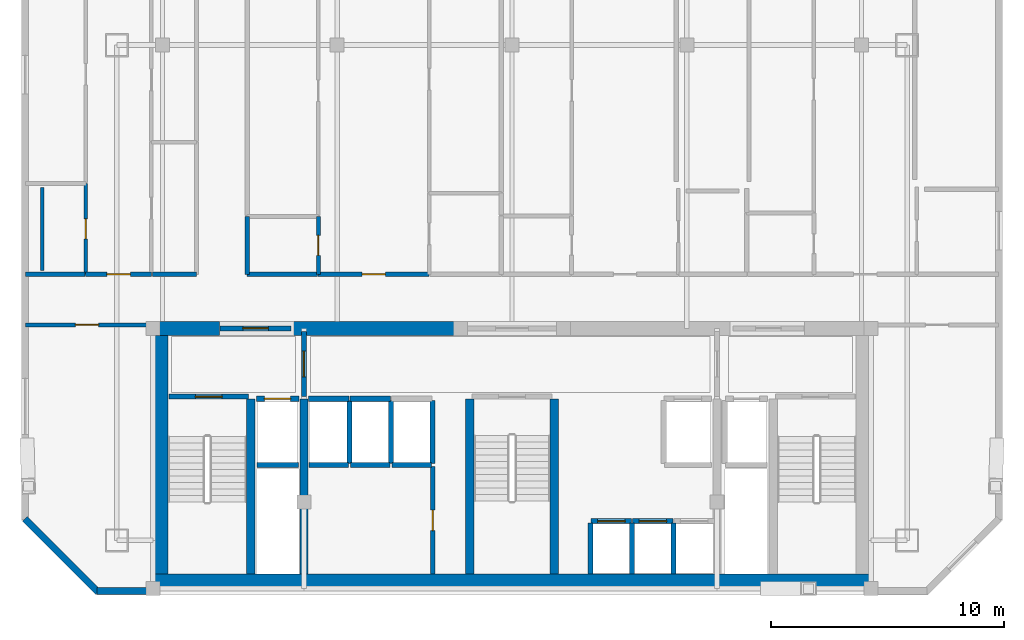
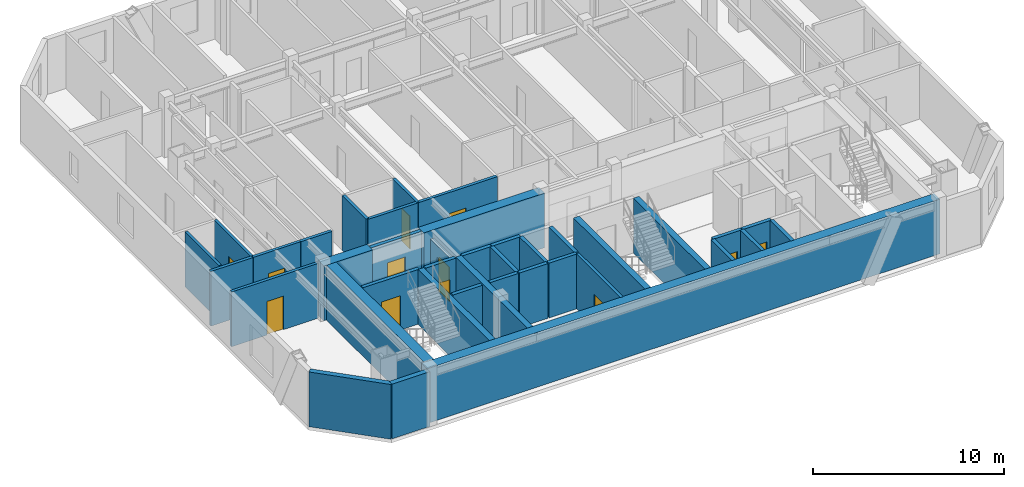
# One storey, part 2 of 7: 39 walls, 12 doors, 12 openings.
"""IFC4 building model written with IfcOpenShell, lengths in metres."""

from ifc_helpers import new_model, si_unit, direction, frame, frame_2d, origin, place, context, subcontext, project, spatial, rectangle, extrude, material, layer, layer_set, type_object, element, fill, save


model = new_model("IFC4")

# Units and contexts
model_context = context("Model", 3, precision=1e-05, world=origin(), true_north=direction((0.0, 1.0)))
body_context = subcontext(model_context, "Body", "Model", "MODEL_VIEW")
ifc_project = project(units=[si_unit("LENGTHUNIT", "METRE"), si_unit("AREAUNIT", "SQUARE_METRE"), si_unit("VOLUMEUNIT", "CUBIC_METRE"), si_unit("PLANEANGLEUNIT", "RADIAN"), si_unit("MASSUNIT", "GRAM", prefix="KILO")], contexts=[model_context])

# Site, building, storey
site_placement = place(None, origin())
site = spatial("IfcSite", under=ifc_project, at=site_placement, CompositionType="ELEMENT")
building_placement = place(site_placement, origin())
building = spatial("IfcBuilding", under=site, at=building_placement, Name="Ventersveld Concourse Tower", CompositionType="ELEMENT")
storey_placement = place(building_placement, frame((0.0, 0.0, 242.64990234375)))
storey = spatial("IfcBuildingStorey", under=building, at=storey_placement, Name="L60", CompositionType="ELEMENT", Elevation=242.64990234375)

# Walls
ifc_material_1 = material(Name="Concrete C50/60", Category="concrete")
ifc_layer_1 = layer(ifc_material_1, 0.35009765625)
ifc_layer_set_1 = layer_set([ifc_layer_1], Name="Concrete C50/60")
wall_type_1 = type_object("IfcWallType", Name="WL-CORE-350U", PredefinedType="SHEAR", material=ifc_layer_set_1)
for number, where, z_axis, x_axis, name in (
    (1, (17.5400390625, 0.919921875, 0.0), (0.0, 0.0, 1.0), (0.0, 1.0, 0.0), "L60 Core Internal Shear Web W-ST1-E"),
    (2, (19.820068359375, 0.919921875, 0.0), (0.0, 0.0, 1.0), (0.0, 1.0, 0.0), "L60 Core Internal Shear Web W-FF1-E"),
    (3, (26.93994140625, 0.919921875, 0.0), (0.0, 0.0, 1.0), (0.0, 1.0, 0.0), "L60 Core Internal Shear Web W-ST3-W"),
    (4, (30.56005859375, 0.919921875, 0.0), (0.0, 0.0, 1.0), (0.0, 1.0, 0.0), "L60 Core Internal Shear Web W-ST3-E"),
):
    element("IfcWall", number, at=place(storey_placement, frame(where, z_axis=z_axis, x_axis=x_axis)), inside=storey, type_object=wall_type_1, Name=name, PredefinedType="SHEAR", context=body_context, shape_type="SweptSolid", body=[
        extrude(rectangle(XDim=7.5, YDim=0.35009765625, at=frame_2d((3.75, 0.0))), origin(), (0.0, 0.0, 1.0), 3.5),
    ])
ifc_layer_2 = layer(ifc_material_1, 0.60009765625)
ifc_layer_set_2 = layer_set([ifc_layer_2], Name="Concrete C50/60")
wall_type_2 = type_object("IfcWallType", Name="WL-CORE-600", PredefinedType="SHEAR", material=ifc_layer_set_2)
wall_1_placement = place(storey_placement, frame((13.25, 0.6201171875, 0.0), z_axis=(0.0, 0.0, 1.0), x_axis=(1.0, 0.0, 0.0)))
element("IfcWall", 5, at=wall_1_placement, inside=storey, type_object=wall_type_2, Name="L60 Rear Core South Shear Wall", PredefinedType="SHEAR", context=body_context, shape_type="SweptSolid", body=[
    extrude(rectangle(XDim=31.0, YDim=0.60009765625, at=frame_2d((15.5, 0.0))), origin(), (0.0, 0.0, 1.0), 3.5),
])
wall_2_placement = place(storey_placement, frame((13.699951171875, 0.919921875, 0.0), z_axis=(0.0, 0.0, 1.0), x_axis=(0.0, 1.0, 0.0)))
element("IfcWall", 6, at=wall_2_placement, inside=storey, type_object=wall_type_2, Name="L60 Rear Core West Shear Wall", PredefinedType="SHEAR", context=body_context, shape_type="SweptSolid", body=[
    extrude(rectangle(XDim=10.530029296875, YDim=0.60009765625, at=frame_2d((5.26513671875, 0.0))), origin(), (0.0, 0.0, 1.0), 3.5),
])
wall_3_placement = place(storey_placement, frame((13.25, 11.449951171875, 0.0), z_axis=(0.0, 0.0, 1.0), x_axis=(1.0, 0.0, 0.0)))
element("IfcWall", 7, at=wall_3_placement, inside=storey, type_object=wall_type_2, Name="L60 Rear Core North Shear Wall NW", PredefinedType="SHEAR", context=body_context, shape_type="SweptSolid", body=[
    extrude(rectangle(XDim=2.949951171875, YDim=0.60009765625, at=frame_2d((1.47509765625, 0.0))), origin(), (0.0, 0.0, 1.0), 3.5),
])
wall_4_placement = place(storey_placement, frame((19.300048828125, 11.449951171875, 0.0), z_axis=(0.0, 0.0, 1.0), x_axis=(1.0, 0.0, 0.0)))
element("IfcWall", 8, at=wall_4_placement, inside=storey, type_object=wall_type_2, Name="L60 Rear Core North Shear Wall NML", PredefinedType="SHEAR", context=body_context, shape_type="SweptSolid", body=[
    extrude(rectangle(XDim=7.300048828125, YDim=0.60009765625, at=frame_2d((3.64990234375, 0.0))), origin(), (0.0, 0.0, 1.0), 3.5),
])

# Wall, opening, door
ifc_material_2 = material(Name="Fire-rated autoclaved aerated masonry blockwork", Category="masonry")
ifc_layer_3 = layer(ifc_material_2, 0.179931640625)
ifc_layer_set_3 = layer_set([ifc_layer_3], Name="Fire-rated autoclaved aerated masonry blockwork")
wall_type_3 = type_object("IfcWallType", Name="WL-CORR-180", PredefinedType="PARTITIONING", material=ifc_layer_set_3)
wall_5_placement = place(storey_placement, frame((25.35009765625, 0.89990234375, 0.0), z_axis=(0.0, 0.0, 1.0), x_axis=(0.0, 1.0, 0.0)))
wall_5 = element("IfcWall", 9, at=wall_5_placement, inside=storey, type_object=wall_type_3, Name="L60 Core Passage Wall SP-L60-RECB1A", PredefinedType="PARTITIONING", context=body_context, shape_type="SweptSolid", body=[
    extrude(rectangle(XDim=4.6201171875, YDim=0.179931640625, at=frame_2d((2.31005859375, 0.0))), origin(), (0.0, 0.0, 1.0), 3.5),
])
opening_1_placement = place(wall_5_placement, frame((1.8701171875, 0.0, 0.0)))
opening_1 = element("IfcOpeningElement", 10, at=opening_1_placement, cuts=wall_5, Name="Opening FD5", PredefinedType="OPENING", context=body_context, shape_type="SweptSolid", body=[
    extrude(rectangle(XDim=0.8798828125, YDim=2.050048828125, at=frame_2d((0.43994140625, 1.02490234375))), frame((0.0, 0.10009765625, 0.0), z_axis=(0.0, -1.0, 0.0), x_axis=(1.0, 0.0, 0.0)), (0.0, 0.0, 1.0), 0.199951171875),
])
ifc_material_3 = material(Name="Galvanised painted steel", Category="steel")
door_type_1 = type_object("IfcDoorType", Name="DR-RISER-088", OperationType="NOTDEFINED", PredefinedType="DOOR", material=ifc_material_3)
door_1_placement = place(opening_1_placement, origin())
door_1 = element("IfcDoor", 11, at=door_1_placement, inside=storey, type_object=door_type_1, Name="L60 Core Room Door L60 Reclaimed Core Meeting Pod (CD-L60-2874)", OperationType="SINGLE_SWING_LEFT", OverallHeight=2.050048828125, OverallWidth=0.8798828125, PredefinedType="DOOR", context=body_context, shape_type="SweptSolid", body=[
    extrude(rectangle(XDim=0.8798828125, YDim=2.050048828125, at=frame_2d((0.43994140625, 1.02490234375))), frame((0.0, 0.02490234375, 0.0), z_axis=(0.0, -1.0, 0.0), x_axis=(1.0, 0.0, 0.0)), (0.0, 0.0, 1.0), 0.050048828125),
])
fill(opening_1, door_1)

wall_6_placement = place(storey_placement, frame((7.8857421875, 11.60009765625, 0.0), z_axis=(0.0, 0.0, 1.0), x_axis=(1.0, 0.0, 0.0)))
wall_6 = element("IfcWall", 12, at=wall_6_placement, inside=storey, type_object=wall_type_3, Name="L60 Interior Partition SP-L60-SW-GAL-SP-L60-COR", PredefinedType="PARTITIONING", context=body_context, shape_type="SweptSolid", body=[
    extrude(rectangle(XDim=5.25927734375, YDim=0.179931640625, at=frame_2d((2.629638671875, 0.0))), origin(), (0.0, 0.0, 1.0), 3.5),
])
opening_2_placement = place(wall_6_placement, frame((2.129638671875, 0.0, 0.0)))
opening_2 = element("IfcOpeningElement", 13, at=opening_2_placement, cuts=wall_6, Name="Opening FD3", PredefinedType="OPENING", context=body_context, shape_type="SweptSolid", body=[
    extrude(rectangle(XDim=1.0, YDim=2.14990234375, at=frame_2d((0.5, 1.074951171875))), frame((0.0, 0.10009765625, 0.0), z_axis=(0.0, -1.0, 0.0), x_axis=(1.0, 0.0, 0.0)), (0.0, 0.0, 1.0), 0.199951171875),
])
ifc_material_4 = material(Name="Solid-core hardwood veneer timber", Category="wood")
door_type_2 = type_object("IfcDoorType", Name="DR-FLAT-100", OperationType="NOTDEFINED", PredefinedType="DOOR", material=ifc_material_4)
door_2_placement = place(opening_2_placement, origin())
door_2 = element("IfcDoor", 14, at=door_2_placement, inside=storey, type_object=door_type_2, Name="L60 Interior Door SP-L60-SW-GAL to SP-L60-COR (D-L60-2875)", OperationType="SINGLE_SWING_LEFT", OverallHeight=2.14990234375, OverallWidth=1.0, PredefinedType="DOOR", context=body_context, shape_type="SweptSolid", body=[
    extrude(rectangle(XDim=1.0, YDim=2.14990234375, at=frame_2d((0.5, 1.074951171875))), frame((0.0, 0.02490234375, 0.0), z_axis=(0.0, -1.0, 0.0), x_axis=(1.0, 0.0, 0.0)), (0.0, 0.0, 1.0), 0.050048828125),
])
fill(opening_2, door_2)

wall_7_placement = place(storey_placement, frame((10.4541015625, 13.77001953125, 0.0), z_axis=(0.0, 0.0, 1.0), x_axis=(1.0, 0.0, 0.0)))
wall_7 = element("IfcWall", 15, at=wall_7_placement, inside=storey, type_object=wall_type_3, Name="L60 Interior Partition SP-L60-COR-SP-L60-60NW-LIV", PredefinedType="PARTITIONING", context=body_context, shape_type="SweptSolid", body=[
    extrude(rectangle(XDim=2.832275390625, YDim=0.179931640625, at=frame_2d((1.416015625, 0.0))), origin(), (0.0, 0.0, 1.0), 3.5),
])
opening_3_placement = place(wall_7_placement, frame((0.916259765625, 0.0, 0.0)))
opening_3 = element("IfcOpeningElement", 16, at=opening_3_placement, cuts=wall_7, Name="Opening FD3", PredefinedType="OPENING", context=body_context, shape_type="SweptSolid", body=[
    extrude(rectangle(XDim=1.0, YDim=2.14990234375, at=frame_2d((0.5, 1.074951171875))), frame((0.0, 0.10009765625, 0.0), z_axis=(0.0, -1.0, 0.0), x_axis=(1.0, 0.0, 0.0)), (0.0, 0.0, 1.0), 0.199951171875),
])
door_3_placement = place(opening_3_placement, origin())
door_3 = element("IfcDoor", 17, at=door_3_placement, inside=storey, type_object=door_type_2, Name="L60 Interior Door SP-L60-COR to SP-L60-60NW-LIV (FD-L60-2877)", OperationType="SINGLE_SWING_LEFT", OverallHeight=2.14990234375, OverallWidth=1.0, PredefinedType="DOOR", context=body_context, shape_type="SweptSolid", body=[
    extrude(rectangle(XDim=1.0, YDim=2.14990234375, at=frame_2d((0.5, 1.074951171875))), frame((0.0, 0.02490234375, 0.0), z_axis=(0.0, -1.0, 0.0), x_axis=(1.0, 0.0, 0.0)), (0.0, 0.0, 1.0), 0.050048828125),
])
fill(opening_3, door_3)

# Walls
wall_8_placement = place(storey_placement, frame((7.8857421875, 13.77001953125, 0.0), z_axis=(0.0, 0.0, 1.0), x_axis=(1.0, 0.0, 0.0)))
element("IfcWall", 18, at=wall_8_placement, inside=storey, type_object=wall_type_3, Name="L60 Interior Partition SP-L60-COR-SP-L60-60NW-BATH", PredefinedType="PARTITIONING", context=body_context, shape_type="SweptSolid", body=[
    extrude(rectangle(XDim=2.538330078125, YDim=0.179931640625, at=frame_2d((1.26904296875, 0.0))), origin(), (0.0, 0.0, 1.0), 3.5),
])
wall_9_placement = place(storey_placement, frame((13.31640625, 13.77001953125, 0.0), z_axis=(0.0, 0.0, 1.0), x_axis=(1.0, 0.0, 0.0)))
element("IfcWall", 19, at=wall_9_placement, inside=storey, type_object=wall_type_3, Name="L60 Interior Partition SP-L60-COR-SP-L60-60NW-KIT", PredefinedType="PARTITIONING", context=body_context, shape_type="SweptSolid", body=[
    extrude(rectangle(XDim=1.898681640625, YDim=0.179931640625, at=frame_2d((0.94921875, 0.0))), origin(), (0.0, 0.0, 1.0), 3.5),
])

# Wall, opening, door
wall_10_placement = place(storey_placement, frame((20.4365234375, 13.77001953125, 0.0), z_axis=(0.0, 0.0, 1.0), x_axis=(1.0, 0.0, 0.0)))
wall_10 = element("IfcWall", 20, at=wall_10_placement, inside=storey, type_object=wall_type_3, Name="L60 Interior Partition SP-L60-COR-SP-L60-60N1-LIV", PredefinedType="PARTITIONING", context=body_context, shape_type="SweptSolid", body=[
    extrude(rectangle(XDim=4.760498046875, YDim=0.179931640625, at=frame_2d((2.38037109375, 0.0))), origin(), (0.0, 0.0, 1.0), 3.5),
])
opening_4_placement = place(wall_10_placement, frame((1.880126953125, 0.0, 0.0)))
opening_4 = element("IfcOpeningElement", 21, at=opening_4_placement, cuts=wall_10, Name="Opening FD3", PredefinedType="OPENING", context=body_context, shape_type="SweptSolid", body=[
    extrude(rectangle(XDim=1.0, YDim=2.14990234375, at=frame_2d((0.5, 1.074951171875))), frame((0.0, 0.10009765625, 0.0), z_axis=(0.0, -1.0, 0.0), x_axis=(1.0, 0.0, 0.0)), (0.0, 0.0, 1.0), 0.199951171875),
])
door_4_placement = place(opening_4_placement, origin())
door_4 = element("IfcDoor", 22, at=door_4_placement, inside=storey, type_object=door_type_2, Name="L60 Interior Door SP-L60-COR to SP-L60-60N1-LIV (FD-L60-2878)", OperationType="SINGLE_SWING_RIGHT", OverallHeight=2.14990234375, OverallWidth=1.0, PredefinedType="DOOR", context=body_context, shape_type="SweptSolid", body=[
    extrude(rectangle(XDim=1.0, YDim=2.14990234375, at=frame_2d((0.5, 1.074951171875))), frame((0.0, 0.02490234375, 0.0), z_axis=(0.0, -1.0, 0.0), x_axis=(1.0, 0.0, 0.0)), (0.0, 0.0, 1.0), 0.050048828125),
])
fill(opening_4, door_4)

# Walls
wall_11_placement = place(storey_placement, frame((17.385009765625, 13.77001953125, 0.0), z_axis=(0.0, 0.0, 1.0), x_axis=(1.0, 0.0, 0.0)))
element("IfcWall", 23, at=wall_11_placement, inside=storey, type_object=wall_type_3, Name="L60 Interior Partition SP-L60-COR-SP-L60-60N1-BATH", PredefinedType="PARTITIONING", context=body_context, shape_type="SweptSolid", body=[
    extrude(rectangle(XDim=3.021484375, YDim=0.179931640625, at=frame_2d((1.5107421875, 0.0))), origin(), (0.0, 0.0, 1.0), 3.5),
])
wall_12_placement = place(storey_placement, frame((17.389892578125, 13.764892578125, 0.0), z_axis=(0.0, 0.0, 1.0), x_axis=(0.0, 1.0, 0.0)))
element("IfcWall", 24, at=wall_12_placement, inside=storey, type_object=wall_type_3, Name="L60 Interior Partition SP-L60-COR-SP-L60-60N1-BATH", PredefinedType="PARTITIONING", context=body_context, shape_type="SweptSolid", body=[
    extrude(rectangle(XDim=2.488525390625, YDim=0.179931640625, at=frame_2d((1.244140625, 0.0))), origin(), (0.0, 0.0, 1.0), 3.5),
])
ifc_layer_4 = layer(ifc_material_2, 0.219970703125)
ifc_layer_set_4 = layer_set([ifc_layer_4], Name="Fire-rated autoclaved aerated masonry blockwork")
wall_type_4 = type_object("IfcWallType", Name="WL-HOIST-220", PredefinedType="SOLIDWALL", material=ifc_layer_set_4)
wall_13_placement = place(storey_placement, frame((17.800048828125, 5.590087890625, 0.0), z_axis=(0.0, 0.0, 1.0), x_axis=(1.0, 0.0, 0.0)))
element("IfcWall", 25, at=wall_13_placement, inside=storey, type_object=wall_type_4, Name="L60 Lift Hoistway Back Wall FFL-01", PredefinedType="SOLIDWALL", context=body_context, shape_type="SweptSolid", body=[
    extrude(rectangle(XDim=1.780029296875, YDim=0.219970703125, at=frame_2d((0.89013671875, 0.0))), origin(), (0.0, 0.0, 1.0), 3.5),
])

# Wall, opening, door
wall_14_placement = place(storey_placement, frame((17.780029296875, 8.429931640625, 0.0), z_axis=(0.0, 0.0, 1.0), x_axis=(1.0, 0.0, 0.0)))
wall_14 = element("IfcWall", 26, at=wall_14_placement, inside=storey, type_object=wall_type_4, Name="L60 Lift Hoistway Front Wall FFL-01", PredefinedType="SOLIDWALL", context=body_context, shape_type="SweptSolid", body=[
    extrude(rectangle(XDim=1.820068359375, YDim=0.219970703125, at=frame_2d((0.91015625, 0.0))), origin(), (0.0, 0.0, 1.0), 3.5),
])
opening_5_placement = place(wall_14_placement, frame((0.35009765625, 0.0, 0.0)))
opening_5 = element("IfcOpeningElement", 27, at=opening_5_placement, cuts=wall_14, Name="Opening LD1", PredefinedType="OPENING", context=body_context, shape_type="SweptSolid", body=[
    extrude(rectangle(XDim=1.1201171875, YDim=2.25, at=frame_2d((0.56005859375, 1.125))), frame((0.0, 0.1201171875, 0.0), z_axis=(0.0, -1.0, 0.0), x_axis=(1.0, 0.0, 0.0)), (0.0, 0.0, 1.0), 0.239990234375),
])
ifc_material_5 = material(Name="Brushed stainless steel 316", Category="steel")
door_type_3 = type_object("IfcDoorType", Name="LD-FF-112", OperationType="SLIDING_TO_LEFT", PredefinedType="DOOR", material=ifc_material_5)
door_5_placement = place(opening_5_placement, origin())
door_5 = element("IfcDoor", 28, at=door_5_placement, inside=storey, type_object=door_type_3, Name="L60 Lift landing door FFL-01 (LD-L60-FFL-01)", OperationType="SLIDING_TO_LEFT", OverallHeight=2.25, OverallWidth=1.1201171875, PredefinedType="DOOR", context=body_context, shape_type="SweptSolid", body=[
    extrude(rectangle(XDim=1.1201171875, YDim=2.25, at=frame_2d((0.56005859375, 1.125))), frame((0.0, 0.02490234375, 0.0), z_axis=(0.0, -1.0, 0.0), x_axis=(1.0, 0.0, 0.0)), (0.0, 0.0, 1.0), 0.050048828125),
])
fill(opening_5, door_5)

# Walls
for number, where, z_axis, x_axis, name in (
    (29, (32.1201171875, 0.89990234375, 0.0), (0.0, 0.0, 1.0), (0.0, 1.0, 0.0), "L60 Lift Hoistway Side Wall PM-01W"),
    (30, (33.89990234375, 0.89990234375, 0.0), (0.0, 0.0, 1.0), (0.0, 1.0, 0.0), "L60 Lift Hoistway Side Wall PM-01E"),
):
    element("IfcWall", number, at=place(storey_placement, frame(where, z_axis=z_axis, x_axis=x_axis)), inside=storey, type_object=wall_type_4, Name=name, PredefinedType="SOLIDWALL", context=body_context, shape_type="SweptSolid", body=[
        extrude(rectangle(XDim=2.2001953125, YDim=0.219970703125, at=frame_2d((1.10009765625, 0.0))), origin(), (0.0, 0.0, 1.0), 3.5),
    ])

# Wall, opening, door
wall_15_placement = place(storey_placement, frame((32.139892578125, 3.179931640625, 0.0), z_axis=(0.0, 0.0, 1.0), x_axis=(1.0, 0.0, 0.0)))
wall_15 = element("IfcWall", 31, at=wall_15_placement, inside=storey, type_object=wall_type_4, Name="L60 Lift Hoistway Front Wall PM-01", PredefinedType="SOLIDWALL", context=body_context, shape_type="SweptSolid", body=[
    extrude(rectangle(XDim=1.739990234375, YDim=0.219970703125, at=frame_2d((0.8701171875, 0.0))), origin(), (0.0, 0.0, 1.0), 3.5),
])
opening_6_placement = place(wall_15_placement, frame((0.280029296875, 0.0, 0.0)))
opening_6 = element("IfcOpeningElement", 32, at=opening_6_placement, cuts=wall_15, Name="Opening LD2", PredefinedType="OPENING", context=body_context, shape_type="SweptSolid", body=[
    extrude(rectangle(XDim=1.179931640625, YDim=2.199951171875, at=frame_2d((0.58984375, 1.10009765625))), frame((0.0, 0.1201171875, 0.0), z_axis=(0.0, -1.0, 0.0), x_axis=(1.0, 0.0, 0.0)), (0.0, 0.0, 1.0), 0.239990234375),
])
door_type_4 = type_object("IfcDoorType", Name="LD-PAX-118", OperationType="SLIDING_TO_LEFT", PredefinedType="DOOR", material=ifc_material_5)
door_6_placement = place(opening_6_placement, origin())
door_6 = element("IfcDoor", 33, at=door_6_placement, inside=storey, type_object=door_type_4, Name="L60 Lift landing door PM-01 (LD-L60-PM-01)", OperationType="SLIDING_TO_RIGHT", OverallHeight=2.199951171875, OverallWidth=1.179931640625, PredefinedType="DOOR", context=body_context, shape_type="SweptSolid", body=[
    extrude(rectangle(XDim=1.179931640625, YDim=2.199951171875, at=frame_2d((0.58984375, 1.10009765625))), frame((0.0, 0.02490234375, 0.0), z_axis=(0.0, -1.0, 0.0), x_axis=(1.0, 0.0, 0.0)), (0.0, 0.0, 1.0), 0.050048828125),
])
fill(opening_6, door_6)

# Wall
wall_16_placement = place(storey_placement, frame((35.679931640625, 0.89990234375, 0.0), z_axis=(0.0, 0.0, 1.0), x_axis=(0.0, 1.0, 0.0)))
element("IfcWall", 34, at=wall_16_placement, inside=storey, type_object=wall_type_4, Name="L60 Lift Hoistway Side Wall PM-02E", PredefinedType="SOLIDWALL", context=body_context, shape_type="SweptSolid", body=[
    extrude(rectangle(XDim=2.2001953125, YDim=0.219970703125, at=frame_2d((1.10009765625, 0.0))), origin(), (0.0, 0.0, 1.0), 3.5),
])

# Wall, opening, door
wall_17_placement = place(storey_placement, frame((33.919921875, 3.179931640625, 0.0), z_axis=(0.0, 0.0, 1.0), x_axis=(1.0, 0.0, 0.0)))
wall_17 = element("IfcWall", 35, at=wall_17_placement, inside=storey, type_object=wall_type_4, Name="L60 Lift Hoistway Front Wall PM-02", PredefinedType="SOLIDWALL", context=body_context, shape_type="SweptSolid", body=[
    extrude(rectangle(XDim=1.739990234375, YDim=0.219970703125, at=frame_2d((0.8701171875, 0.0))), origin(), (0.0, 0.0, 1.0), 3.5),
])
opening_7_placement = place(wall_17_placement, frame((0.280029296875, 0.0, 0.0)))
opening_7 = element("IfcOpeningElement", 36, at=opening_7_placement, cuts=wall_17, Name="Opening LD2", PredefinedType="OPENING", context=body_context, shape_type="SweptSolid", body=[
    extrude(rectangle(XDim=1.179931640625, YDim=2.199951171875, at=frame_2d((0.58984375, 1.10009765625))), frame((0.0, 0.1201171875, 0.0), z_axis=(0.0, -1.0, 0.0), x_axis=(1.0, 0.0, 0.0)), (0.0, 0.0, 1.0), 0.239990234375),
])
door_7_placement = place(opening_7_placement, origin())
door_7 = element("IfcDoor", 37, at=door_7_placement, inside=storey, type_object=door_type_4, Name="L60 Lift landing door PM-02 (LD-L60-PM-02)", OperationType="SLIDING_TO_LEFT", OverallHeight=2.199951171875, OverallWidth=1.179931640625, PredefinedType="DOOR", context=body_context, shape_type="SweptSolid", body=[
    extrude(rectangle(XDim=1.179931640625, YDim=2.199951171875, at=frame_2d((0.58984375, 1.10009765625))), frame((0.0, 0.02490234375, 0.0), z_axis=(0.0, -1.0, 0.0), x_axis=(1.0, 0.0, 0.0)), (0.0, 0.0, 1.0), 0.050048828125),
])
fill(opening_7, door_7)

# Walls
wall_18_placement = place(storey_placement, frame((20.0400390625, 5.590087890625, 0.0), z_axis=(0.0, 0.0, 1.0), x_axis=(1.0, 0.0, 0.0)))
element("IfcWall", 38, at=wall_18_placement, inside=storey, type_object=wall_type_4, Name="L60 Lift Hoistway Back Wall PH-01", PredefinedType="SOLIDWALL", context=body_context, shape_type="SweptSolid", body=[
    extrude(rectangle(XDim=1.699951171875, YDim=0.219970703125, at=frame_2d((0.85009765625, 0.0))), origin(), (0.0, 0.0, 1.0), 3.5),
])
wall_19_placement = place(storey_placement, frame((21.780029296875, 5.64990234375, 0.0), z_axis=(0.0, 0.0, 1.0), x_axis=(0.0, 1.0, 0.0)))
element("IfcWall", 39, at=wall_19_placement, inside=storey, type_object=wall_type_4, Name="L60 Lift Hoistway Side Wall PH-01E", PredefinedType="SOLIDWALL", context=body_context, shape_type="SweptSolid", body=[
    extrude(rectangle(XDim=2.7001953125, YDim=0.219970703125, at=frame_2d((1.35009765625, 0.0))), origin(), (0.0, 0.0, 1.0), 3.5),
])
wall_20_placement = place(storey_placement, frame((20.02001953125, 8.429931640625, 0.0), z_axis=(0.0, 0.0, 1.0), x_axis=(1.0, 0.0, 0.0)))
element("IfcWall", 40, at=wall_20_placement, inside=storey, type_object=wall_type_4, Name="L60 Lift Hoistway Front Wall PH-01", PredefinedType="SOLIDWALL", context=body_context, shape_type="SweptSolid", body=[
    extrude(rectangle(XDim=1.739990234375, YDim=0.219970703125, at=frame_2d((0.8701171875, 0.0))), origin(), (0.0, 0.0, 1.0), 3.5),
])
wall_21_placement = place(storey_placement, frame((21.820068359375, 5.590087890625, 0.0), z_axis=(0.0, 0.0, 1.0), x_axis=(1.0, 0.0, 0.0)))
element("IfcWall", 41, at=wall_21_placement, inside=storey, type_object=wall_type_4, Name="L60 Lift Hoistway Back Wall PH-02", PredefinedType="SOLIDWALL", context=body_context, shape_type="SweptSolid", body=[
    extrude(rectangle(XDim=1.699951171875, YDim=0.219970703125, at=frame_2d((0.85009765625, 0.0))), origin(), (0.0, 0.0, 1.0), 3.5),
])
wall_22_placement = place(storey_placement, frame((23.56005859375, 5.64990234375, 0.0), z_axis=(0.0, 0.0, 1.0), x_axis=(0.0, 1.0, 0.0)))
element("IfcWall", 42, at=wall_22_placement, inside=storey, type_object=wall_type_4, Name="L60 Lift Hoistway Side Wall PH-02E", PredefinedType="SOLIDWALL", context=body_context, shape_type="SweptSolid", body=[
    extrude(rectangle(XDim=2.7001953125, YDim=0.219970703125, at=frame_2d((1.35009765625, 0.0))), origin(), (0.0, 0.0, 1.0), 3.5),
])
wall_23_placement = place(storey_placement, frame((21.800048828125, 8.429931640625, 0.0), z_axis=(0.0, 0.0, 1.0), x_axis=(1.0, 0.0, 0.0)))
element("IfcWall", 43, at=wall_23_placement, inside=storey, type_object=wall_type_4, Name="L60 Lift Hoistway Front Wall PH-02", PredefinedType="SOLIDWALL", context=body_context, shape_type="SweptSolid", body=[
    extrude(rectangle(XDim=1.739990234375, YDim=0.219970703125, at=frame_2d((0.8701171875, 0.0))), origin(), (0.0, 0.0, 1.0), 3.5),
])
wall_24_placement = place(storey_placement, frame((23.60009765625, 5.590087890625, 0.0), z_axis=(0.0, 0.0, 1.0), x_axis=(1.0, 0.0, 0.0)))
element("IfcWall", 44, at=wall_24_placement, inside=storey, type_object=wall_type_4, Name="L60 Lift Hoistway Back Wall PH-03", PredefinedType="SOLIDWALL", context=body_context, shape_type="SweptSolid", body=[
    extrude(rectangle(XDim=1.699951171875, YDim=0.219970703125, at=frame_2d((0.85009765625, 0.0))), origin(), (0.0, 0.0, 1.0), 3.5),
])
wall_25_placement = place(storey_placement, frame((25.340087890625, 5.64990234375, 0.0), z_axis=(0.0, 0.0, 1.0), x_axis=(0.0, 1.0, 0.0)))
element("IfcWall", 45, at=wall_25_placement, inside=storey, type_object=wall_type_4, Name="L60 Lift Hoistway Side Wall PH-03E", PredefinedType="SOLIDWALL", context=body_context, shape_type="SweptSolid", body=[
    extrude(rectangle(XDim=2.7001953125, YDim=0.219970703125, at=frame_2d((1.35009765625, 0.0))), origin(), (0.0, 0.0, 1.0), 3.5),
])

# Wall, opening, door
wall_26_placement = place(storey_placement, frame((14.0400390625, 8.52001953125, 0.0), z_axis=(0.0, 0.0, 1.0), x_axis=(1.0, 0.0, 0.0)))
wall_26 = element("IfcWall", 46, at=wall_26_placement, inside=storey, type_object=wall_type_4, Name="L60 Escape Stair ST01 Fire Wall", PredefinedType="SOLIDWALL", context=body_context, shape_type="SweptSolid", body=[
    extrude(rectangle(XDim=3.39990234375, YDim=0.219970703125, at=frame_2d((1.699951171875, 0.0))), origin(), (0.0, 0.0, 1.0), 3.5),
])
opening_8_placement = place(wall_26_placement, frame((1.125, 0.0, 0.0)))
opening_8 = element("IfcOpeningElement", 47, at=opening_8_placement, cuts=wall_26, Name="Opening FD1", PredefinedType="OPENING", context=body_context, shape_type="SweptSolid", body=[
    extrude(rectangle(XDim=1.14990234375, YDim=2.199951171875, at=frame_2d((0.574951171875, 1.10009765625))), frame((0.0, 0.1201171875, 0.0), z_axis=(0.0, -1.0, 0.0), x_axis=(1.0, 0.0, 0.0)), (0.0, 0.0, 1.0), 0.239990234375),
])
door_type_5 = type_object("IfcDoorType", Name="DR-STAIR-115", OperationType="NOTDEFINED", PredefinedType="DOOR", material=ifc_material_3)
door_8_placement = place(opening_8_placement, origin())
door_8 = element("IfcDoor", 48, at=door_8_placement, inside=storey, type_object=door_type_5, Name="L60 Escape Stair Door ST01 (SD-L60-2866)", OperationType="SINGLE_SWING_LEFT", OverallHeight=2.199951171875, OverallWidth=1.14990234375, PredefinedType="DOOR", context=body_context, shape_type="SweptSolid", body=[
    extrude(rectangle(XDim=1.14990234375, YDim=2.199951171875, at=frame_2d((0.574951171875, 1.10009765625))), frame((0.0, 0.02490234375, 0.0), z_axis=(0.0, -1.0, 0.0), x_axis=(1.0, 0.0, 0.0)), (0.0, 0.0, 1.0), 0.050048828125),
])
fill(opening_8, door_8)

wall_27_placement = place(storey_placement, frame((19.820068359375, 8.52001953125, 0.0), z_axis=(0.0, 0.0, 1.0), x_axis=(0.0, 1.0, 0.0)))
wall_27 = element("IfcWall", 49, at=wall_27_placement, inside=storey, type_object=wall_type_4, Name="L60 Firefighting Lobby Smoke-Stop Wall FFLW-SEP", PredefinedType="SOLIDWALL", context=body_context, shape_type="SweptSolid", body=[
    extrude(rectangle(XDim=2.800048828125, YDim=0.219970703125, at=frame_2d((1.39990234375, 0.0))), origin(), (0.0, 0.0, 1.0), 2.95556640625),
])
opening_9_placement = place(wall_27_placement, frame((0.85009765625, 0.0, 0.0)))
opening_9 = element("IfcOpeningElement", 50, at=opening_9_placement, cuts=wall_27, Name="Opening FD2", PredefinedType="OPENING", context=body_context, shape_type="SweptSolid", body=[
    extrude(rectangle(XDim=1.10009765625, YDim=2.199951171875, at=frame_2d((0.550048828125, 1.10009765625))), frame((0.0, 0.1201171875, 0.0), z_axis=(0.0, -1.0, 0.0), x_axis=(1.0, 0.0, 0.0)), (0.0, 0.0, 1.0), 0.239990234375),
])
door_type_6 = type_object("IfcDoorType", Name="DR-FFL-110", OperationType="NOTDEFINED", PredefinedType="DOOR", material=ifc_material_3)
door_9_placement = place(opening_9_placement, origin())
door_9 = element("IfcDoor", 51, at=door_9_placement, inside=storey, type_object=door_type_6, Name="L60 Firefighting Lobby Door FFLW-SEP (FD-L60-2869)", OperationType="SINGLE_SWING_LEFT", OverallHeight=2.199951171875, OverallWidth=1.10009765625, PredefinedType="DOOR", context=body_context, shape_type="SweptSolid", body=[
    extrude(rectangle(XDim=1.10009765625, YDim=2.199951171875, at=frame_2d((0.550048828125, 1.10009765625))), frame((0.0, 0.02490234375, 0.0), z_axis=(0.0, -1.0, 0.0), x_axis=(1.0, 0.0, 0.0)), (0.0, 0.0, 1.0), 0.050048828125),
])
fill(opening_9, door_9)

wall_28_placement = place(storey_placement, frame((16.22998046875, 11.449951171875, 0.0), z_axis=(0.0, 0.0, 1.0), x_axis=(1.0, 0.0, 0.0)))
wall_28 = element("IfcWall", 52, at=wall_28_placement, inside=storey, type_object=wall_type_4, Name="L60 Core North Fire Portal FFLW-OUT", PredefinedType="SOLIDWALL", context=body_context, shape_type="SweptSolid", body=[
    extrude(rectangle(XDim=3.0400390625, YDim=0.219970703125, at=frame_2d((1.52001953125, 0.0))), origin(), (0.0, 0.0, 1.0), 3.5),
])
opening_10_placement = place(wall_28_placement, frame((0.969970703125, 0.0, 0.0)))
opening_10 = element("IfcOpeningElement", 53, at=opening_10_placement, cuts=wall_28, Name="Opening FD2", PredefinedType="OPENING", context=body_context, shape_type="SweptSolid", body=[
    extrude(rectangle(XDim=1.10009765625, YDim=2.199951171875, at=frame_2d((0.550048828125, 1.10009765625))), frame((0.0, 0.1201171875, 0.0), z_axis=(0.0, -1.0, 0.0), x_axis=(1.0, 0.0, 0.0)), (0.0, 0.0, 1.0), 0.239990234375),
])
door_10_placement = place(opening_10_placement, origin())
door_10 = element("IfcDoor", 54, at=door_10_placement, inside=storey, type_object=door_type_6, Name="L60 Core Lobby Fire Door FFLW-OUT (FD-L60-2871)", OperationType="SINGLE_SWING_RIGHT", OverallHeight=2.199951171875, OverallWidth=1.10009765625, PredefinedType="DOOR", context=body_context, shape_type="SweptSolid", body=[
    extrude(rectangle(XDim=1.10009765625, YDim=2.199951171875, at=frame_2d((0.550048828125, 1.10009765625))), frame((0.0, 0.02490234375, 0.0), z_axis=(0.0, -1.0, 0.0), x_axis=(1.0, 0.0, 0.0)), (0.0, 0.0, 1.0), 0.050048828125),
])
fill(opening_10, door_10)

# Walls
ifc_material_6 = material(Name="Precast concrete C45/55", Category="concrete")
ifc_layer_5 = layer(ifc_material_6, 0.300048828125)
ifc_layer_set_5 = layer_set([ifc_layer_5], Name="Precast concrete C45/55")
wall_type_5 = type_object("IfcWallType", Name="WL-PREC-300", PredefinedType="SOLIDWALL", material=ifc_layer_set_5)
wall_29_placement = place(storey_placement, frame((10.953369140625, 0.179931640625, 0.0), z_axis=(0.0, 0.0, 1.0), x_axis=(1.0, 0.0, 0.0)))
element("IfcWall", 55, at=wall_29_placement, inside=storey, type_object=wall_type_5, Name="L60 South-West Flank Precast Wall", PredefinedType="SOLIDWALL", context=body_context, shape_type="SweptSolid", body=[
    extrude(rectangle(XDim=2.296630859375, YDim=0.300048828125, at=frame_2d((1.1484375, 0.0))), origin(), (0.0, 0.0, 1.0), 3.5),
])
wall_30_placement = place(storey_placement, frame((7.84765625, 3.27783203125, 0.0), z_axis=(0.0, 0.0, 1.0), x_axis=(0.707134240044, -0.707079321262, 0.0)))
element("IfcWall", 56, at=wall_30_placement, inside=storey, type_object=wall_type_5, Name="L60 Highveld Precast Facade Wall E08", PredefinedType="SOLIDWALL", context=body_context, shape_type="SweptSolid", body=[
    extrude(rectangle(XDim=4.445556640625, YDim=0.300048828125, at=frame_2d((2.22265625, 0.0))), origin(), (0.0, 0.0, 1.0), 3.5),
])

# Wall, opening, door
ifc_material_7 = material(Name="Autoclaved aerated masonry blockwork", Category="masonry")
ifc_layer_6 = layer(ifc_material_7, 0.1650390625)
ifc_layer_set_6 = layer_set([ifc_layer_6], Name="Autoclaved aerated masonry blockwork")
wall_type_6 = type_object("IfcWallType", Name="WL-WET-165", PredefinedType="PLUMBINGWALL", material=ifc_layer_set_6)
wall_31_placement = place(storey_placement, frame((10.458984375, 13.764892578125, 0.0), z_axis=(0.0, 0.0, 1.0), x_axis=(0.0, 1.0, 0.0)))
wall_31 = element("IfcWall", 57, at=wall_31_placement, inside=storey, type_object=wall_type_6, Name="L60 Interior Partition SP-L60-60NW-LIV-SP-L60-60NW-BATH", PredefinedType="PLUMBINGWALL", context=body_context, shape_type="SweptSolid", body=[
    extrude(rectangle(XDim=3.90673828125, YDim=0.1650390625, at=frame_2d((1.953369140625, 0.0))), origin(), (0.0, 0.0, 1.0), 3.5),
])
opening_11_placement = place(wall_31_placement, frame((1.5283203125, 0.0, 0.0)))
opening_11 = element("IfcOpeningElement", 58, at=opening_11_placement, cuts=wall_31, Name="Opening ID2", PredefinedType="OPENING", context=body_context, shape_type="SweptSolid", body=[
    extrude(rectangle(XDim=0.85009765625, YDim=2.10009765625, at=frame_2d((0.425048828125, 1.050048828125))), frame((0.0, 0.092529296875, 0.0), z_axis=(0.0, -1.0, 0.0), x_axis=(1.0, 0.0, 0.0)), (0.0, 0.0, 1.0), 0.18505859375),
])
door_type_7 = type_object("IfcDoorType", Name="DR-BATH-085", OperationType="NOTDEFINED", PredefinedType="DOOR", material=ifc_material_4)
door_11_placement = place(opening_11_placement, origin())
door_11 = element("IfcDoor", 59, at=door_11_placement, inside=storey, type_object=door_type_7, Name="L60 Interior Door SP-L60-60NW-LIV to SP-L60-60NW-BATH (D-L60-2881)", OperationType="SINGLE_SWING_LEFT", OverallHeight=2.10009765625, OverallWidth=0.85009765625, PredefinedType="DOOR", context=body_context, shape_type="SweptSolid", body=[
    extrude(rectangle(XDim=0.85009765625, YDim=2.10009765625, at=frame_2d((0.425048828125, 1.050048828125))), frame((0.0, 0.02490234375, 0.0), z_axis=(0.0, -1.0, 0.0), x_axis=(1.0, 0.0, 0.0)), (0.0, 0.0, 1.0), 0.050048828125),
])
fill(opening_11, door_11)

wall_32_placement = place(storey_placement, frame((20.441650390625, 13.764892578125, 0.0), z_axis=(0.0, 0.0, 1.0), x_axis=(0.0, 1.0, 0.0)))
wall_32 = element("IfcWall", 60, at=wall_32_placement, inside=storey, type_object=wall_type_6, Name="L60 Interior Partition SP-L60-60N1-LIV-SP-L60-60N1-BATH", PredefinedType="PLUMBINGWALL", context=body_context, shape_type="SweptSolid", body=[
    extrude(rectangle(XDim=2.488525390625, YDim=0.1650390625, at=frame_2d((1.244140625, 0.0))), origin(), (0.0, 0.0, 1.0), 3.5),
])
opening_12_placement = place(wall_32_placement, frame((0.819091796875, 0.0, 0.0)))
opening_12 = element("IfcOpeningElement", 61, at=opening_12_placement, cuts=wall_32, Name="Opening ID2", PredefinedType="OPENING", context=body_context, shape_type="SweptSolid", body=[
    extrude(rectangle(XDim=0.85009765625, YDim=2.10009765625, at=frame_2d((0.425048828125, 1.050048828125))), frame((0.0, 0.092529296875, 0.0), z_axis=(0.0, -1.0, 0.0), x_axis=(1.0, 0.0, 0.0)), (0.0, 0.0, 1.0), 0.18505859375),
])
door_12_placement = place(opening_12_placement, origin())
door_12 = element("IfcDoor", 62, at=door_12_placement, inside=storey, type_object=door_type_7, Name="L60 Interior Door SP-L60-60N1-LIV to SP-L60-60N1-BATH (D-L60-2887)", OperationType="SINGLE_SWING_LEFT", OverallHeight=2.10009765625, OverallWidth=0.85009765625, PredefinedType="DOOR", context=body_context, shape_type="SweptSolid", body=[
    extrude(rectangle(XDim=0.85009765625, YDim=2.10009765625, at=frame_2d((0.425048828125, 1.050048828125))), frame((0.0, 0.02490234375, 0.0), z_axis=(0.0, -1.0, 0.0), x_axis=(1.0, 0.0, 0.0)), (0.0, 0.0, 1.0), 0.050048828125),
])
fill(opening_12, door_12)

# Wall
wall_33_placement = place(storey_placement, frame((8.59326171875, 13.93505859375, 0.0), z_axis=(0.0, 0.0, 1.0), x_axis=(0.0, 1.0, 0.0)))
element("IfcWall", 63, at=wall_33_placement, inside=storey, type_object=wall_type_6, Name="L60 Room Enclosure Wall SP-L60-60NW-BATH", PredefinedType="PLUMBINGWALL", context=body_context, shape_type="SweptSolid", body=[
    extrude(rectangle(XDim=3.566650390625, YDim=0.1650390625, at=frame_2d((1.783203125, 0.0))), origin(), (0.0, 0.0, 1.0), 3.5),
])

save(model, "model.ifc")
